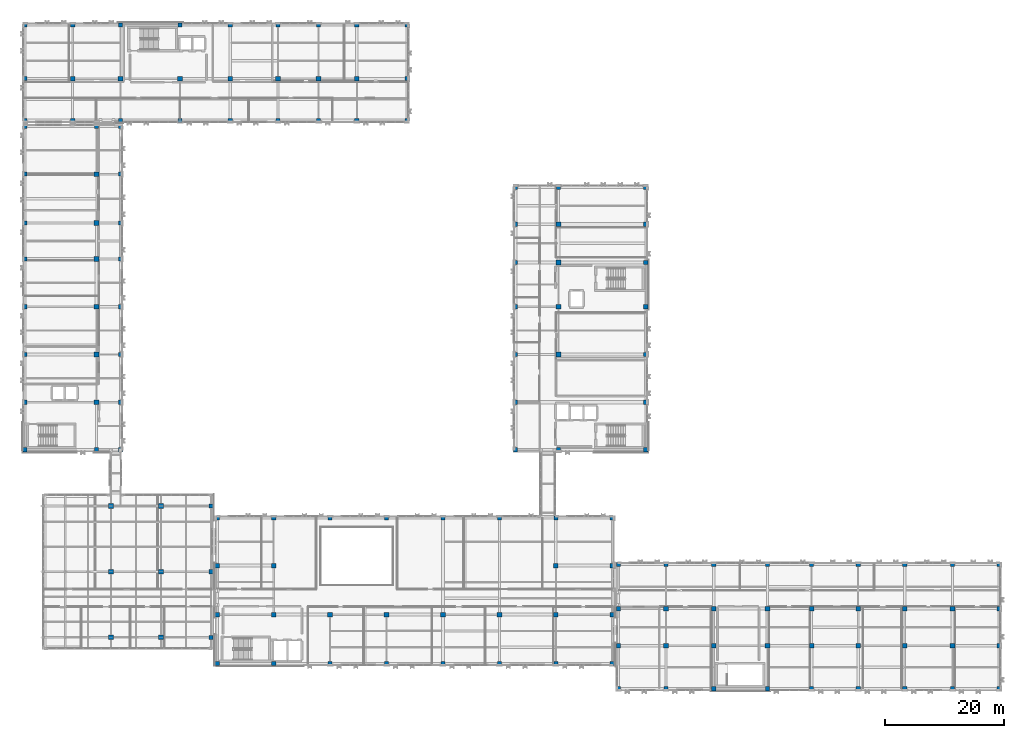
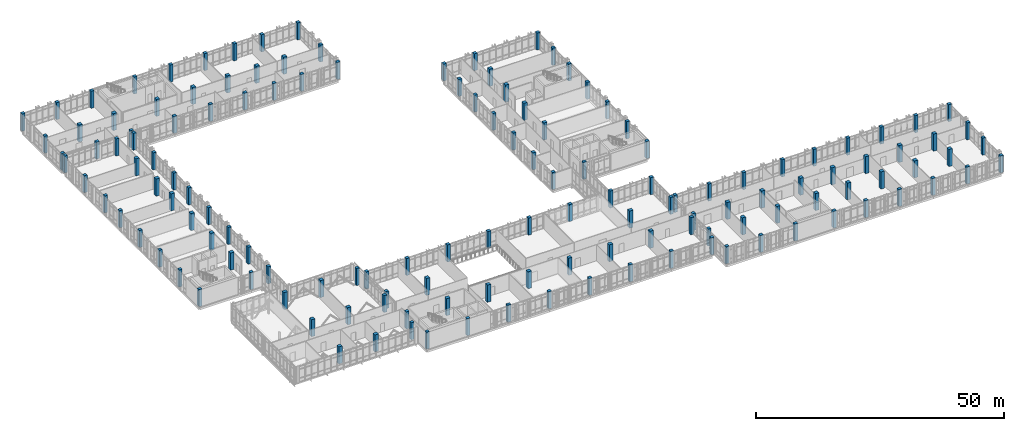
# One storey, part 1 of 193: 144 columns.
"""IFC4 building model written with IfcOpenShell, lengths in metres."""

from ifc_helpers import new_model, si_unit, direction, frame, origin, origin_2d, place, context, subcontext, project, spatial, rectangle, extrude, material, material_profile, profile_set, type_object, element, save


model = new_model("IFC4")

# Units and contexts
model_context = context("Model", 3, precision=1e-05, world=origin(), true_north=direction((0.0, 1.0)))
body_context = subcontext(model_context, "Body", "Model", "MODEL_VIEW")
ifc_project = project(units=[si_unit("LENGTHUNIT", "METRE"), si_unit("AREAUNIT", "SQUARE_METRE"), si_unit("VOLUMEUNIT", "CUBIC_METRE"), si_unit("PLANEANGLEUNIT", "RADIAN"), si_unit("MASSUNIT", "GRAM", prefix="KILO")], contexts=[model_context])

# Site, building, storey
site_placement = place(None, origin())
site = spatial("IfcSite", under=ifc_project, at=site_placement, CompositionType="ELEMENT")
building_placement = place(site_placement, origin())
building = spatial("IfcBuilding", under=site, at=building_placement, Name="Qalavern Law Courts", CompositionType="ELEMENT")
storey_placement = place(building_placement, frame((0.0, 0.0, 10.199951171875)))
storey = spatial("IfcBuildingStorey", under=building, at=storey_placement, Name="L02", CompositionType="ELEMENT", Elevation=10.199951171875)

# Columns
ifc_material = material(Name="Concrete C45/55", Category="concrete")
ifc_material_profile_1 = material_profile(ifc_material, rectangle(XDim=0.699951171875, YDim=0.699951171875, at=origin_2d()), Name="RC 700x700")
ifc_profile_set_1 = profile_set([ifc_material_profile_1], Name="Concrete C45/55")
column_type_1 = type_object("IfcColumnType", Name="STR-COL-RC700E", PredefinedType="COLUMN", material=ifc_profile_set_1)
for number, where, z_axis, x_axis, name in (
    (1, (33.60009765625, 10.0, 0.0), (0.0, 0.0, 1.0), (1.0, 0.0, 0.0), "V1 column 3-1 L02"),
    (2, (33.60009765625, 21.0, 0.0), (0.0, 0.0, 1.0), (1.0, 0.0, 0.0), "V1 column 3-2 L02"),
    (3, (33.60009765625, 32.0, 0.0), (0.0, 0.0, 1.0), (1.0, 0.0, 0.0), "V1 column 3-3 L02"),
    (4, (34.6201171875, 5.60009765625, 0.0), (0.0, 0.0, 1.0), (1.0, 0.0, 0.0), "V2 column 1-1 L02"),
    (5, (34.6201171875, 13.800048828125, 0.0), (0.0, 0.0, 1.0), (1.0, 0.0, 0.0), "V2 column 1-2 L02"),
    (6, (34.6201171875, 22.0, 0.0), (0.0, 0.0, 1.0), (1.0, 0.0, 0.0), "V2 column 1-3 L02"),
    (7, (34.6201171875, 30.0, 0.0), (0.0, 0.0, 1.0), (1.0, 0.0, 0.0), "V2 column 1-4 L02"),
    (8, (44.07421875, 5.60009765625, 0.0), (0.0, 0.0, 1.0), (1.0, 0.0, 0.0), "V2 column 2-1 L02"),
    (9, (44.07421875, 30.0, 0.0), (0.0, 0.0, 1.0), (1.0, 0.0, 0.0), "V2 column 2-4 L02"),
    (10, (53.528564453125, 5.60009765625, 0.0), (0.0, 0.0, 1.0), (1.0, 0.0, 0.0), "V2 column 3-1 L02"),
    (11, (53.528564453125, 30.0, 0.0), (0.0, 0.0, 1.0), (1.0, 0.0, 0.0), "V2 column 3-4 L02"),
    (12, (62.98291015625, 5.60009765625, 0.0), (0.0, 0.0, 1.0), (1.0, 0.0, 0.0), "V2 column 4-1 L02"),
    (13, (62.98291015625, 30.0, 0.0), (0.0, 0.0, 1.0), (1.0, 0.0, 0.0), "V2 column 4-4 L02"),
    (14, (72.43701171875, 5.60009765625, 0.0), (0.0, 0.0, 1.0), (1.0, 0.0, 0.0), "V2 column 5-1 L02"),
    (15, (72.43701171875, 30.0, 0.0), (0.0, 0.0, 1.0), (1.0, 0.0, 0.0), "V2 column 5-4 L02"),
    (16, (81.891357421875, 5.60009765625, 0.0), (0.0, 0.0, 1.0), (1.0, 0.0, 0.0), "V2 column 6-1 L02"),
    (17, (81.891357421875, 30.0, 0.0), (0.0, 0.0, 1.0), (1.0, 0.0, 0.0), "V2 column 6-4 L02"),
    (18, (91.345703125, 5.60009765625, 0.0), (0.0, 0.0, 1.0), (1.0, 0.0, 0.0), "V2 column 7-1 L02"),
    (19, (91.345703125, 30.0, 0.0), (0.0, 0.0, 1.0), (1.0, 0.0, 0.0), "V2 column 7-4 L02"),
    (20, (100.800048828125, 5.60009765625, 0.0), (0.0, 0.0, 1.0), (1.0, 0.0, 0.0), "V2 column 8-1 L02"),
    (21, (100.800048828125, 13.800048828125, 0.0), (0.0, 0.0, 1.0), (1.0, 0.0, 0.0), "V2 column 8-2 L02"),
    (22, (100.800048828125, 22.0, 0.0), (0.0, 0.0, 1.0), (1.0, 0.0, 0.0), "V2 column 8-3 L02"),
    (23, (100.800048828125, 30.0, 0.0), (0.0, 0.0, 1.0), (1.0, 0.0, 0.0), "V2 column 8-4 L02"),
    (24, (2.39990234375, 41.419921875, 0.0), (0.0, 0.0, 1.0), (1.0, 0.0, 0.0), "V3 column 1-1 L02"),
    (25, (2.39990234375, 49.39990234375, 0.0), (0.0, 0.0, 1.0), (1.0, 0.0, 0.0), "V3 column 1-2 L02"),
    (26, (2.39990234375, 57.39990234375, 0.0), (0.0, 0.0, 1.0), (1.0, 0.0, 0.0), "V3 column 1-3 L02"),
    (27, (2.39990234375, 65.39990234375, 0.0), (0.0, 0.0, 1.0), (1.0, 0.0, 0.0), "V3 column 1-4 L02"),
    (28, (2.39990234375, 73.39990234375, 0.0), (0.0, 0.0, 1.0), (1.0, 0.0, 0.0), "V3 column 1-5 L02"),
    (29, (2.39990234375, 79.39990234375, 0.0), (0.0, 0.0, 1.0), (1.0, 0.0, 0.0), "V3 column 1-6 L02"),
    (30, (2.39990234375, 87.60009765625, 0.0), (0.0, 0.0, 1.0), (1.0, 0.0, 0.0), "V3 column 1-7 L02"),
    (31, (2.39990234375, 95.580078125, 0.0), (0.0, 0.0, 1.0), (1.0, 0.0, 0.0), "V3 column 1-8 L02"),
    (32, (14.39990234375, 41.419921875, 0.0), (0.0, 0.0, 1.0), (1.0, 0.0, 0.0), "V3 column 2-1 L02"),
    (33, (14.39990234375, 95.580078125, 0.0), (0.0, 0.0, 1.0), (1.0, 0.0, 0.0), "V3 column 2-8 L02"),
    (34, (18.39990234375, 41.419921875, 0.0), (0.0, 0.0, 1.0), (1.0, 0.0, 0.0), "V3 column 3-1 L02"),
    (35, (18.39990234375, 49.39990234375, 0.0), (0.0, 0.0, 1.0), (1.0, 0.0, 0.0), "V3 column 3-2 L02"),
    (36, (18.39990234375, 57.39990234375, 0.0), (0.0, 0.0, 1.0), (1.0, 0.0, 0.0), "V3 column 3-3 L02"),
    (37, (18.39990234375, 65.39990234375, 0.0), (0.0, 0.0, 1.0), (1.0, 0.0, 0.0), "V3 column 3-4 L02"),
    (38, (18.39990234375, 73.39990234375, 0.0), (0.0, 0.0, 1.0), (1.0, 0.0, 0.0), "V3 column 3-5 L02"),
    (39, (18.39990234375, 79.39990234375, 0.0), (0.0, 0.0, 1.0), (1.0, 0.0, 0.0), "V3 column 3-6 L02"),
    (40, (18.39990234375, 87.60009765625, 0.0), (0.0, 0.0, 1.0), (1.0, 0.0, 0.0), "V3 column 3-7 L02"),
    (41, (18.39990234375, 95.580078125, 0.0), (0.0, 0.0, 1.0), (1.0, 0.0, 0.0), "V3 column 3-8 L02"),
    (42, (84.60009765625, 41.419921875, 0.0), (0.0, 0.0, 1.0), (1.0, 0.0, 0.0), "V4 column 1-1 L02"),
    (43, (84.60009765625, 49.39990234375, 0.0), (0.0, 0.0, 1.0), (1.0, 0.0, 0.0), "V4 column 1-2 L02"),
    (44, (84.60009765625, 57.39990234375, 0.0), (0.0, 0.0, 1.0), (1.0, 0.0, 0.0), "V4 column 1-3 L02"),
    (45, (84.60009765625, 65.39990234375, 0.0), (0.0, 0.0, 1.0), (1.0, 0.0, 0.0), "V4 column 1-4 L02"),
    (46, (84.60009765625, 72.800048828125, 0.0), (0.0, 0.0, 1.0), (1.0, 0.0, 0.0), "V4 column 1-5 L02"),
    (47, (84.60009765625, 79.199951171875, 0.0), (0.0, 0.0, 1.0), (1.0, 0.0, 0.0), "V4 column 1-6 L02"),
    (48, (84.60009765625, 85.39990234375, 0.0), (0.0, 0.0, 1.0), (1.0, 0.0, 0.0), "V4 column 1-7 L02"),
    (49, (91.800048828125, 41.419921875, 0.0), (0.0, 0.0, 1.0), (1.0, 0.0, 0.0), "V4 column 2-1 L02"),
    (50, (91.800048828125, 85.39990234375, 0.0), (0.0, 0.0, 1.0), (1.0, 0.0, 0.0), "V4 column 2-7 L02"),
    (51, (106.39990234375, 41.419921875, 0.0), (0.0, 0.0, 1.0), (1.0, 0.0, 0.0), "V4 column 3-1 L02"),
    (52, (106.39990234375, 49.39990234375, 0.0), (0.0, 0.0, 1.0), (1.0, 0.0, 0.0), "V4 column 3-2 L02"),
    (53, (106.39990234375, 57.39990234375, 0.0), (0.0, 0.0, 1.0), (1.0, 0.0, 0.0), "V4 column 3-3 L02"),
    (54, (106.39990234375, 65.39990234375, 0.0), (0.0, 0.0, 1.0), (1.0, 0.0, 0.0), "V4 column 3-4 L02"),
    (55, (106.39990234375, 72.800048828125, 0.0), (0.0, 0.0, 1.0), (1.0, 0.0, 0.0), "V4 column 3-5 L02"),
    (56, (106.39990234375, 79.199951171875, 0.0), (0.0, 0.0, 1.0), (1.0, 0.0, 0.0), "V4 column 3-6 L02"),
    (57, (106.39990234375, 85.39990234375, 0.0), (0.0, 0.0, 1.0), (1.0, 0.0, 0.0), "V4 column 3-7 L02"),
    (58, (2.39990234375, 96.60009765625, 0.0), (0.0, 0.0, 1.0), (1.0, 0.0, 0.0), "V5 column 1-1 L02"),
    (59, (2.39990234375, 103.60009765625, 0.0), (0.0, 0.0, 1.0), (1.0, 0.0, 0.0), "V5 column 1-2 L02"),
    (60, (2.39990234375, 112.60009765625, 0.0), (0.0, 0.0, 1.0), (1.0, 0.0, 0.0), "V5 column 1-3 L02"),
    (61, (10.39990234375, 96.60009765625, 0.0), (0.0, 0.0, 1.0), (1.0, 0.0, 0.0), "V5 column 2-1 L02"),
    (62, (10.39990234375, 112.60009765625, 0.0), (0.0, 0.0, 1.0), (1.0, 0.0, 0.0), "V5 column 2-3 L02"),
    (63, (18.39990234375, 96.60009765625, 0.0), (0.0, 0.0, 1.0), (1.0, 0.0, 0.0), "V5 column 3-1 L02"),
    (64, (18.39990234375, 112.60009765625, 0.0), (0.0, 0.0, 1.0), (1.0, 0.0, 0.0), "V5 column 3-3 L02"),
    (65, (28.39990234375, 96.60009765625, 0.0), (0.0, 0.0, 1.0), (1.0, 0.0, 0.0), "V5 column 4-1 L02"),
    (66, (28.39990234375, 112.60009765625, 0.0), (0.0, 0.0, 1.0), (1.0, 0.0, 0.0), "V5 column 4-3 L02"),
    (67, (36.800048828125, 96.60009765625, 0.0), (0.0, 0.0, 1.0), (1.0, 0.0, 0.0), "V5 column 5-1 L02"),
    (68, (36.800048828125, 112.60009765625, 0.0), (0.0, 0.0, 1.0), (1.0, 0.0, 0.0), "V5 column 5-3 L02"),
    (69, (44.800048828125, 96.60009765625, 0.0), (0.0, 0.0, 1.0), (1.0, 0.0, 0.0), "V5 column 6-1 L02"),
    (70, (44.800048828125, 112.60009765625, 0.0), (0.0, 0.0, 1.0), (1.0, 0.0, 0.0), "V5 column 6-3 L02"),
    (71, (51.60009765625, 96.60009765625, 0.0), (0.0, 0.0, 1.0), (1.0, 0.0, 0.0), "V5 column 7-1 L02"),
    (72, (51.60009765625, 112.60009765625, 0.0), (0.0, 0.0, 1.0), (1.0, 0.0, 0.0), "V5 column 7-3 L02"),
    (73, (58.0, 96.60009765625, 0.0), (0.0, 0.0, 1.0), (1.0, 0.0, 0.0), "V5 column 8-1 L02"),
    (74, (58.0, 112.60009765625, 0.0), (0.0, 0.0, 1.0), (1.0, 0.0, 0.0), "V5 column 8-3 L02"),
    (75, (66.39990234375, 96.60009765625, 0.0), (0.0, 0.0, 1.0), (1.0, 0.0, 0.0), "V5 column 9-1 L02"),
    (76, (66.39990234375, 103.60009765625, 0.0), (0.0, 0.0, 1.0), (1.0, 0.0, 0.0), "V5 column 9-2 L02"),
    (77, (66.39990234375, 112.60009765625, 0.0), (0.0, 0.0, 1.0), (1.0, 0.0, 0.0), "V5 column 9-3 L02"),
    (78, (101.820068359375, 1.39990234375, 0.0), (0.0, 0.0, 1.0), (1.0, 0.0, 0.0), "V6 column 1-1 L02"),
    (79, (101.820068359375, 8.60009765625, 0.0), (0.0, 0.0, 1.0), (1.0, 0.0, 0.0), "V6 column 1-2 L02"),
    (80, (101.820068359375, 14.800048828125, 0.0), (0.0, 0.0, 1.0), (1.0, 0.0, 0.0), "V6 column 1-3 L02"),
    (81, (101.820068359375, 22.199951171875, 0.0), (0.0, 0.0, 1.0), (1.0, 0.0, 0.0), "V6 column 1-4 L02"),
    (82, (109.800048828125, 1.39990234375, 0.0), (0.0, 0.0, 1.0), (1.0, 0.0, 0.0), "V6 column 2-1 L02"),
    (83, (109.800048828125, 22.199951171875, 0.0), (0.0, 0.0, 1.0), (1.0, 0.0, 0.0), "V6 column 2-4 L02"),
    (84, (117.800048828125, 1.39990234375, 0.0), (0.0, 0.0, 1.0), (1.0, 0.0, 0.0), "V6 column 3-1 L02"),
    (85, (117.800048828125, 22.199951171875, 0.0), (0.0, 0.0, 1.0), (1.0, 0.0, 0.0), "V6 column 3-4 L02"),
    (86, (126.800048828125, 1.39990234375, 0.0), (0.0, 0.0, 1.0), (1.0, 0.0, 0.0), "V6 column 4-1 L02"),
    (87, (126.800048828125, 22.199951171875, 0.0), (0.0, 0.0, 1.0), (1.0, 0.0, 0.0), "V6 column 4-4 L02"),
    (88, (134.199951171875, 1.39990234375, 0.0), (0.0, 0.0, 1.0), (1.0, 0.0, 0.0), "V6 column 5-1 L02"),
    (89, (134.199951171875, 22.199951171875, 0.0), (0.0, 0.0, 1.0), (1.0, 0.0, 0.0), "V6 column 5-4 L02"),
    (90, (142.0, 1.39990234375, 0.0), (0.0, 0.0, 1.0), (1.0, 0.0, 0.0), "V6 column 6-1 L02"),
    (91, (142.0, 22.199951171875, 0.0), (0.0, 0.0, 1.0), (1.0, 0.0, 0.0), "V6 column 6-4 L02"),
    (92, (149.800048828125, 1.39990234375, 0.0), (0.0, 0.0, 1.0), (1.0, 0.0, 0.0), "V6 column 7-1 L02"),
    (93, (149.800048828125, 22.199951171875, 0.0), (0.0, 0.0, 1.0), (1.0, 0.0, 0.0), "V6 column 7-4 L02"),
    (94, (157.800048828125, 1.39990234375, 0.0), (0.0, 0.0, 1.0), (1.0, 0.0, 0.0), "V6 column 8-1 L02"),
    (95, (157.800048828125, 22.199951171875, 0.0), (0.0, 0.0, 1.0), (1.0, 0.0, 0.0), "V6 column 8-4 L02"),
    (96, (165.60009765625, 1.39990234375, 0.0), (0.0, 0.0, 1.0), (1.0, 0.0, 0.0), "V6 column 9-1 L02"),
    (97, (165.60009765625, 8.60009765625, 0.0), (0.0, 0.0, 1.0), (1.0, 0.0, 0.0), "V6 column 9-2 L02"),
    (98, (165.60009765625, 14.800048828125, 0.0), (0.0, 0.0, 1.0), (1.0, 0.0, 0.0), "V6 column 9-3 L02"),
    (99, (165.60009765625, 22.199951171875, 0.0), (0.0, 0.0, 1.0), (1.0, 0.0, 0.0), "V6 column 9-4 L02"),
):
    element("IfcColumn", number, at=place(storey_placement, frame(where, z_axis=z_axis, x_axis=x_axis)), inside=storey, type_object=column_type_1, Name=name, PredefinedType="COLUMN", context=body_context, shape_type="SweptSolid", body=[
        extrude(rectangle(XDim=0.699951171875, YDim=0.699951171875, at=origin_2d()), origin(), (0.0, 0.0, 1.0), 4.199951171875),
    ])
ifc_material_profile_2 = material_profile(ifc_material, rectangle(XDim=0.800048828125, YDim=0.800048828125, at=origin_2d()), Name="RC 800x800")
ifc_profile_set_2 = profile_set([ifc_material_profile_2], Name="Concrete C45/55")
column_type_2 = type_object("IfcColumnType", Name="STR-COL-RC800", PredefinedType="COLUMN", material=ifc_profile_set_2)
for number, where, z_axis, x_axis, name in (
    (100, (16.800048828125, 10.0, 0.0), (0.0, 0.0, 1.0), (1.0, 0.0, 0.0), "V1 column 1-1 L02"),
    (101, (16.800048828125, 21.0, 0.0), (0.0, 0.0, 1.0), (1.0, 0.0, 0.0), "V1 column 1-2 L02"),
    (102, (16.800048828125, 32.0, 0.0), (0.0, 0.0, 1.0), (1.0, 0.0, 0.0), "V1 column 1-3 L02"),
    (103, (25.199951171875, 10.0, 0.0), (0.0, 0.0, 1.0), (1.0, 0.0, 0.0), "V1 column 2-1 L02"),
    (104, (25.199951171875, 21.0, 0.0), (0.0, 0.0, 1.0), (1.0, 0.0, 0.0), "V1 column 2-2 L02"),
    (105, (25.199951171875, 32.0, 0.0), (0.0, 0.0, 1.0), (1.0, 0.0, 0.0), "V1 column 2-3 L02"),
    (106, (44.07421875, 13.800048828125, 0.0), (0.0, 0.0, 1.0), (1.0, 0.0, 0.0), "V2 column 2-2 L02"),
    (107, (44.07421875, 22.0, 0.0), (0.0, 0.0, 1.0), (1.0, 0.0, 0.0), "V2 column 2-3 L02"),
    (108, (53.528564453125, 13.800048828125, 0.0), (0.0, 0.0, 1.0), (1.0, 0.0, 0.0), "V2 column 3-2 L02"),
    (109, (62.98291015625, 13.800048828125, 0.0), (0.0, 0.0, 1.0), (1.0, 0.0, 0.0), "V2 column 4-2 L02"),
    (110, (72.43701171875, 13.800048828125, 0.0), (0.0, 0.0, 1.0), (1.0, 0.0, 0.0), "V2 column 5-2 L02"),
    (111, (81.891357421875, 13.800048828125, 0.0), (0.0, 0.0, 1.0), (1.0, 0.0, 0.0), "V2 column 6-2 L02"),
    (112, (91.345703125, 13.800048828125, 0.0), (0.0, 0.0, 1.0), (1.0, 0.0, 0.0), "V2 column 7-2 L02"),
    (113, (91.345703125, 22.0, 0.0), (0.0, 0.0, 1.0), (1.0, 0.0, 0.0), "V2 column 7-3 L02"),
    (114, (14.39990234375, 49.39990234375, 0.0), (0.0, 0.0, 1.0), (1.0, 0.0, 0.0), "V3 column 2-2 L02"),
    (115, (14.39990234375, 57.39990234375, 0.0), (0.0, 0.0, 1.0), (1.0, 0.0, 0.0), "V3 column 2-3 L02"),
    (116, (14.39990234375, 65.39990234375, 0.0), (0.0, 0.0, 1.0), (1.0, 0.0, 0.0), "V3 column 2-4 L02"),
    (117, (14.39990234375, 73.39990234375, 0.0), (0.0, 0.0, 1.0), (1.0, 0.0, 0.0), "V3 column 2-5 L02"),
    (118, (14.39990234375, 79.39990234375, 0.0), (0.0, 0.0, 1.0), (1.0, 0.0, 0.0), "V3 column 2-6 L02"),
    (119, (14.39990234375, 87.60009765625, 0.0), (0.0, 0.0, 1.0), (1.0, 0.0, 0.0), "V3 column 2-7 L02"),
    (120, (91.800048828125, 57.39990234375, 0.0), (0.0, 0.0, 1.0), (1.0, 0.0, 0.0), "V4 column 2-3 L02"),
    (121, (91.800048828125, 65.39990234375, 0.0), (0.0, 0.0, 1.0), (1.0, 0.0, 0.0), "V4 column 2-4 L02"),
    (122, (91.800048828125, 72.800048828125, 0.0), (0.0, 0.0, 1.0), (1.0, 0.0, 0.0), "V4 column 2-5 L02"),
    (123, (91.800048828125, 79.199951171875, 0.0), (0.0, 0.0, 1.0), (1.0, 0.0, 0.0), "V4 column 2-6 L02"),
    (124, (10.39990234375, 103.60009765625, 0.0), (0.0, 0.0, 1.0), (1.0, 0.0, 0.0), "V5 column 2-2 L02"),
    (125, (18.39990234375, 103.60009765625, 0.0), (0.0, 0.0, 1.0), (1.0, 0.0, 0.0), "V5 column 3-2 L02"),
    (126, (28.39990234375, 103.60009765625, 0.0), (0.0, 0.0, 1.0), (1.0, 0.0, 0.0), "V5 column 4-2 L02"),
    (127, (36.800048828125, 103.60009765625, 0.0), (0.0, 0.0, 1.0), (1.0, 0.0, 0.0), "V5 column 5-2 L02"),
    (128, (44.800048828125, 103.60009765625, 0.0), (0.0, 0.0, 1.0), (1.0, 0.0, 0.0), "V5 column 6-2 L02"),
    (129, (51.60009765625, 103.60009765625, 0.0), (0.0, 0.0, 1.0), (1.0, 0.0, 0.0), "V5 column 7-2 L02"),
    (130, (58.0, 103.60009765625, 0.0), (0.0, 0.0, 1.0), (1.0, 0.0, 0.0), "V5 column 8-2 L02"),
    (131, (109.800048828125, 8.60009765625, 0.0), (0.0, 0.0, 1.0), (1.0, 0.0, 0.0), "V6 column 2-2 L02"),
    (132, (109.800048828125, 14.800048828125, 0.0), (0.0, 0.0, 1.0), (1.0, 0.0, 0.0), "V6 column 2-3 L02"),
    (133, (117.800048828125, 8.60009765625, 0.0), (0.0, 0.0, 1.0), (1.0, 0.0, 0.0), "V6 column 3-2 L02"),
    (134, (117.800048828125, 14.800048828125, 0.0), (0.0, 0.0, 1.0), (1.0, 0.0, 0.0), "V6 column 3-3 L02"),
    (135, (126.800048828125, 8.60009765625, 0.0), (0.0, 0.0, 1.0), (1.0, 0.0, 0.0), "V6 column 4-2 L02"),
    (136, (126.800048828125, 14.800048828125, 0.0), (0.0, 0.0, 1.0), (1.0, 0.0, 0.0), "V6 column 4-3 L02"),
    (137, (134.199951171875, 8.60009765625, 0.0), (0.0, 0.0, 1.0), (1.0, 0.0, 0.0), "V6 column 5-2 L02"),
    (138, (134.199951171875, 14.800048828125, 0.0), (0.0, 0.0, 1.0), (1.0, 0.0, 0.0), "V6 column 5-3 L02"),
    (139, (142.0, 8.60009765625, 0.0), (0.0, 0.0, 1.0), (1.0, 0.0, 0.0), "V6 column 6-2 L02"),
    (140, (142.0, 14.800048828125, 0.0), (0.0, 0.0, 1.0), (1.0, 0.0, 0.0), "V6 column 6-3 L02"),
    (141, (149.800048828125, 8.60009765625, 0.0), (0.0, 0.0, 1.0), (1.0, 0.0, 0.0), "V6 column 7-2 L02"),
    (142, (149.800048828125, 14.800048828125, 0.0), (0.0, 0.0, 1.0), (1.0, 0.0, 0.0), "V6 column 7-3 L02"),
    (143, (157.800048828125, 8.60009765625, 0.0), (0.0, 0.0, 1.0), (1.0, 0.0, 0.0), "V6 column 8-2 L02"),
    (144, (157.800048828125, 14.800048828125, 0.0), (0.0, 0.0, 1.0), (1.0, 0.0, 0.0), "V6 column 8-3 L02"),
):
    element("IfcColumn", number, at=place(storey_placement, frame(where, z_axis=z_axis, x_axis=x_axis)), inside=storey, type_object=column_type_2, Name=name, PredefinedType="COLUMN", context=body_context, shape_type="SweptSolid", body=[
        extrude(rectangle(XDim=0.800048828125, YDim=0.800048828125, at=origin_2d()), origin(), (0.0, 0.0, 1.0), 4.199951171875),
    ])

save(model, "model.ifc")
